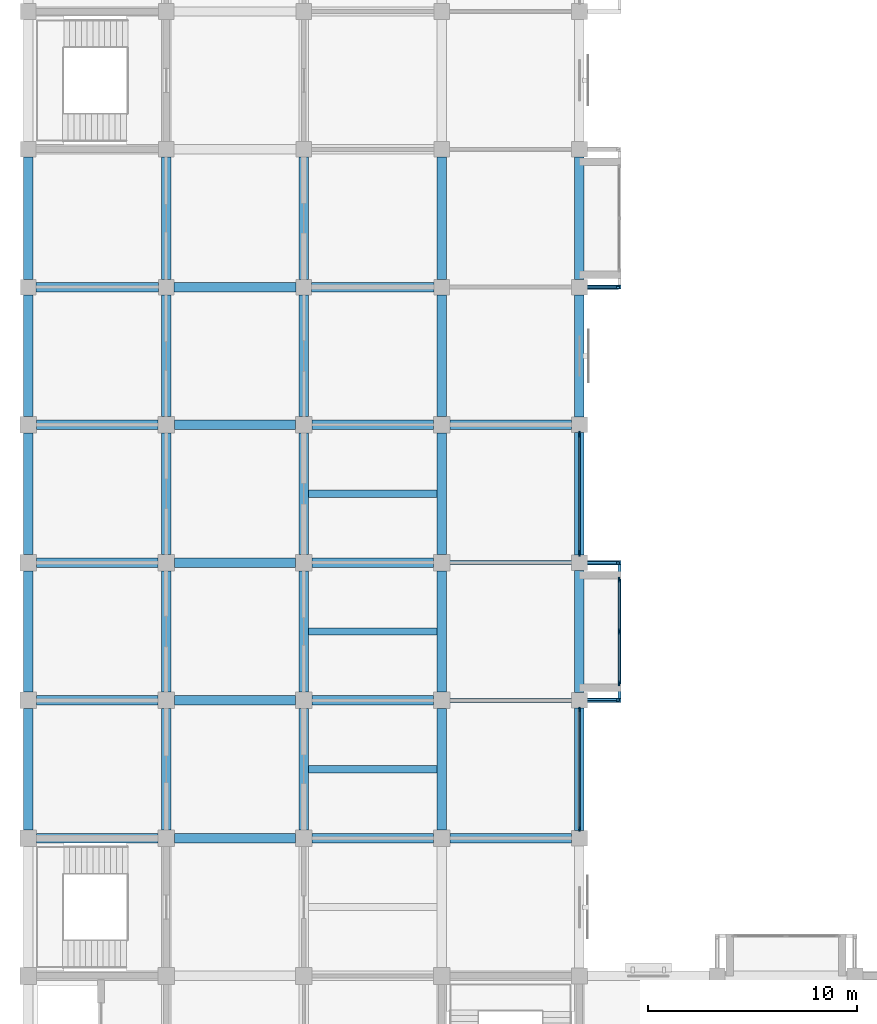
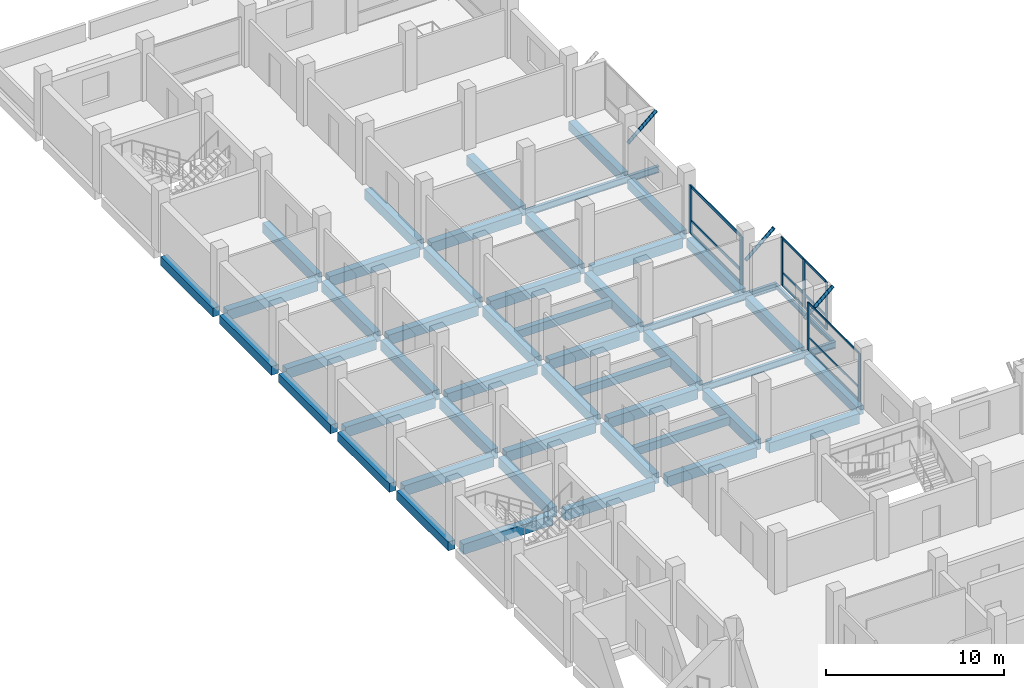
# One storey, part 3 of 15: 49 beams, 22 members, 3 elements without a shape of their own.
"""IFC4 building model written with IfcOpenShell, lengths in metres."""

from ifc_helpers import new_model, si_unit, direction, frame, origin, origin_2d, place, context, subcontext, project, spatial, rectangle, hollow_circle, i_section, extrude, material, material_profile, profile_set, type_object, element, aggregate, save


model = new_model("IFC4")

# Units and contexts
model_context = context("Model", 3, precision=1e-05, world=origin(), true_north=direction((0.0, 1.0)))
body_context = subcontext(model_context, "Body", "Model", "MODEL_VIEW")
ifc_project = project(units=[si_unit("LENGTHUNIT", "METRE"), si_unit("AREAUNIT", "SQUARE_METRE"), si_unit("VOLUMEUNIT", "CUBIC_METRE"), si_unit("PLANEANGLEUNIT", "RADIAN"), si_unit("MASSUNIT", "GRAM", prefix="KILO")], contexts=[model_context])

# Site, building, storey
site_placement = place(None, origin())
site = spatial("IfcSite", under=ifc_project, at=site_placement, CompositionType="ELEMENT")
building_placement = place(site_placement, origin())
building = spatial("IfcBuilding", under=site, at=building_placement, Name="Rusizi Kubbe Research Institute", CompositionType="ELEMENT")
storey_placement = place(building_placement, frame((0.0, 0.0, 27.0)))
storey = spatial("IfcBuildingStorey", under=building, at=storey_placement, Name="L06", CompositionType="ELEMENT", Elevation=27.0)

# Beams
ifc_material_1 = material(Name="Steel S355", Category="steel")
ifc_material_profile_1 = material_profile(ifc_material_1, i_section(OverallWidth=0.14990234375, OverallDepth=0.300048828125, WebThickness=0.007080078125, FlangeThickness=0.0107421875, at=origin_2d()), Name="IPE 300")
ifc_profile_set_1 = profile_set([ifc_material_profile_1], Name="Steel S355")
beam_type_1 = type_object("IfcBeamType", Name="BM-IPE300", PredefinedType="BEAM", material=ifc_profile_set_1)
beam_1_placement = place(storey_placement, frame((28.324951171875, 39.695068359375, -0.47998046875), z_axis=(0.0, 1.0, 0.0), x_axis=(-1.0, 0.0, 0.0)))
element("IfcBeam", 1, at=beam_1_placement, inside=storey, type_object=beam_type_1, Name="Cumba Edge Tie Beam L06-1", PredefinedType="BEAM", context=body_context, shape_type="SweptSolid", body=[
    extrude(i_section(OverallWidth=0.14990234375, OverallDepth=0.300048828125, WebThickness=0.007080078125, FlangeThickness=0.0107421875, at=origin_2d()), origin(), (0.0, 0.0, 1.0), 6.409912109375),
])
ifc_material_2 = material(Name="Steel S355", Category="steel")
ifc_material_profile_2 = material_profile(ifc_material_2, i_section(OverallWidth=0.18994140625, OverallDepth=0.449951171875, WebThickness=0.009521484375, FlangeThickness=0.0146484375, at=origin_2d()), Name="IPE 450")
ifc_profile_set_2 = profile_set([ifc_material_profile_2], Name="Steel S355")
beam_type_2 = type_object("IfcBeamType", Name="BM-IPE450", PredefinedType="BEAM", material=ifc_profile_set_2)
for number, where, z_axis, x_axis, name in (
    (2, (19.800048828125, 39.60009765625, -0.554931640625), (1.0, 0.0, 0.0), (0.0, 1.0, 0.0), "Cumba Back-Spanned Cantilever Beam L06-1S"),
    (3, (19.800048828125, 46.199951171875, -0.554931640625), (1.0, 0.0, 0.0), (0.0, 1.0, 0.0), "Cumba Back-Spanned Cantilever Beam L06-1N"),
    (4, (19.800048828125, 59.39990234375, -0.554931640625), (1.0, 0.0, 0.0), (0.0, 1.0, 0.0), "Cumba Back-Spanned Cantilever Beam L06-2S"),
):
    element("IfcBeam", number, at=place(storey_placement, frame(where, z_axis=z_axis, x_axis=x_axis)), inside=storey, type_object=beam_type_2, Name=name, PredefinedType="BEAM", context=body_context, shape_type="SweptSolid", body=[
        extrude(i_section(OverallWidth=0.18994140625, OverallDepth=0.449951171875, WebThickness=0.009521484375, FlangeThickness=0.0146484375, at=origin_2d()), origin(), (0.0, 0.0, 1.0), 8.599853515625),
    ])
ifc_material_3 = material(Name="Concrete C40/50", Category="concrete")
ifc_material_profile_3 = material_profile(ifc_material_3, rectangle(XDim=0.35009765625, YDim=0.550048828125, at=origin_2d()), Name="RC350x550")
ifc_profile_set_3 = profile_set([ifc_material_profile_3], Name="Concrete C40/50")
beam_type_3 = type_object("IfcBeamType", Name="BM-RC350x550", PredefinedType="JOIST", material=ifc_profile_set_3)
for number, where, z_axis, x_axis, name in (
    (5, (13.425048828125, 36.300048828125, -0.60498046875), (1.0, 0.0, 0.0), (0.0, 1.0, 0.0), "Lab Stiffener Joist L06 (2,5)"),
    (6, (13.425048828125, 42.89990234375, -0.60498046875), (1.0, 0.0, 0.0), (0.0, 1.0, 0.0), "Lab Stiffener Joist L06 (2,6)"),
    (7, (13.425048828125, 49.5, -0.60498046875), (1.0, 0.0, 0.0), (0.0, 1.0, 0.0), "Lab Stiffener Joist L06 (2,7)"),
):
    element("IfcBeam", number, at=place(storey_placement, frame(where, z_axis=z_axis, x_axis=x_axis)), inside=storey, type_object=beam_type_3, Name=name, PredefinedType="JOIST", context=body_context, shape_type="SweptSolid", body=[
        extrude(rectangle(XDim=0.35009765625, YDim=0.550048828125, at=origin_2d()), origin(), (0.0, 0.0, 1.0), 6.14990234375),
    ])
ifc_material_4 = material(Name="Concrete C40/50", Category="concrete")
ifc_material_profile_4 = material_profile(ifc_material_4, rectangle(XDim=0.449951171875, YDim=0.60009765625, at=origin_2d()), Name="RC450x600")
ifc_profile_set_4 = profile_set([ifc_material_profile_4], Name="Concrete C40/50")
beam_type_4 = type_object("IfcBeamType", Name="BM-RC450x600", PredefinedType="SPANDREL", material=ifc_profile_set_4)
for number, where, z_axis, x_axis, name in (
    (8, (0.0, 33.39990234375, -0.6298828125), (0.0, 1.0, 0.0), (-1.0, 0.0, 0.0), "Grid Beam V L06 (0,5)"),
    (9, (0.0, 40.0, -0.6298828125), (0.0, 1.0, 0.0), (-1.0, 0.0, 0.0), "Grid Beam V L06 (0,6)"),
):
    element("IfcBeam", number, at=place(storey_placement, frame(where, z_axis=z_axis, x_axis=x_axis)), inside=storey, type_object=beam_type_4, Name=name, PredefinedType="SPANDREL", context=body_context, shape_type="SweptSolid", body=[
        extrude(rectangle(XDim=0.449951171875, YDim=0.60009765625, at=origin_2d()), origin(), (0.0, 0.0, 1.0), 5.800048828125),
    ])
beam_2_placement = place(storey_placement, frame((0.0, 46.60009765625, -0.6298828125), z_axis=(0.0, 1.0, 0.0), x_axis=(-1.0, 0.0, 0.0)))
element("IfcBeam", 10, at=beam_2_placement, inside=storey, type_object=beam_type_4, Name="Grid Beam V L06 (0,7)", PredefinedType="SPANDREL", context=body_context, shape_type="SweptSolid", body=[
    extrude(rectangle(XDim=0.449951171875, YDim=0.60009765625, at=origin_2d()), origin(), (0.0, 0.0, 1.0), 5.7998046875),
])
beam_3_placement = place(storey_placement, frame((0.0, 53.199951171875, -0.6298828125), z_axis=(0.0, 1.0, 0.0), x_axis=(-1.0, 0.0, 0.0)))
element("IfcBeam", 11, at=beam_3_placement, inside=storey, type_object=beam_type_4, Name="Grid Beam V L06 (0,8)", PredefinedType="SPANDREL", context=body_context, shape_type="SweptSolid", body=[
    extrude(rectangle(XDim=0.449951171875, YDim=0.60009765625, at=origin_2d()), origin(), (0.0, 0.0, 1.0), 5.824951171875),
])
for number, where, z_axis, x_axis, name in (
    (12, (0.0, 59.77490234375, -0.6298828125), (0.0, 1.0, 0.0), (-1.0, 0.0, 0.0), "Grid Beam V L06 (0,9)"),
    (13, (26.39990234375, 33.375, -0.6298828125), (0.0, 1.0, 0.0), (-1.0, 0.0, 0.0), "Grid Beam V L06 (4,5)"),
):
    element("IfcBeam", number, at=place(storey_placement, frame(where, z_axis=z_axis, x_axis=x_axis)), inside=storey, type_object=beam_type_4, Name=name, PredefinedType="SPANDREL", context=body_context, shape_type="SweptSolid", body=[
        extrude(rectangle(XDim=0.449951171875, YDim=0.60009765625, at=origin_2d()), origin(), (0.0, 0.0, 1.0), 5.85009765625),
    ])
beam_4_placement = place(storey_placement, frame((26.39990234375, 39.97509765625, -0.6298828125), z_axis=(0.0, 1.0, 0.0), x_axis=(-1.0, 0.0, 0.0)))
element("IfcBeam", 14, at=beam_4_placement, inside=storey, type_object=beam_type_4, Name="Grid Beam V L06 (4,6)", PredefinedType="SPANDREL", context=body_context, shape_type="SweptSolid", body=[
    extrude(rectangle(XDim=0.449951171875, YDim=0.60009765625, at=origin_2d()), origin(), (0.0, 0.0, 1.0), 5.849853515625),
])
beam_5_placement = place(storey_placement, frame((26.39990234375, 46.574951171875, -0.6298828125), z_axis=(0.0, 1.0, 0.0), x_axis=(-1.0, 0.0, 0.0)))
element("IfcBeam", 15, at=beam_5_placement, inside=storey, type_object=beam_type_4, Name="Grid Beam V L06 (4,7)", PredefinedType="SPANDREL", context=body_context, shape_type="SweptSolid", body=[
    extrude(rectangle(XDim=0.449951171875, YDim=0.60009765625, at=origin_2d()), origin(), (0.0, 0.0, 1.0), 5.85009765625),
])
beam_6_placement = place(storey_placement, frame((26.39990234375, 53.175048828125, -0.6298828125), z_axis=(0.0, 1.0, 0.0), x_axis=(-1.0, 0.0, 0.0)))
element("IfcBeam", 16, at=beam_6_placement, inside=storey, type_object=beam_type_4, Name="Grid Beam V L06 (4,8)", PredefinedType="SPANDREL", context=body_context, shape_type="SweptSolid", body=[
    extrude(rectangle(XDim=0.449951171875, YDim=0.60009765625, at=origin_2d()), origin(), (0.0, 0.0, 1.0), 5.849853515625),
])
beam_7_placement = place(storey_placement, frame((26.39990234375, 59.77490234375, -0.6298828125), z_axis=(0.0, 1.0, 0.0), x_axis=(-1.0, 0.0, 0.0)))
element("IfcBeam", 17, at=beam_7_placement, inside=storey, type_object=beam_type_4, Name="Grid Beam V L06 (4,9)", PredefinedType="SPANDREL", context=body_context, shape_type="SweptSolid", body=[
    extrude(rectangle(XDim=0.449951171875, YDim=0.60009765625, at=origin_2d()), origin(), (0.0, 0.0, 1.0), 5.85009765625),
])
ifc_material_5 = material(Name="Concrete C40/50", Category="concrete")
ifc_material_profile_5 = material_profile(ifc_material_5, rectangle(XDim=0.449951171875, YDim=0.699951171875, at=origin_2d()), Name="RC450x700B")
ifc_profile_set_5 = profile_set([ifc_material_profile_5], Name="Concrete C40/50")
beam_type_5 = type_object("IfcBeamType", Name="BM-RC450x700", PredefinedType="BEAM", material=ifc_profile_set_5)
for number, where, z_axis, x_axis, name in (
    (18, (0.39990234375, 33.0, -0.679931640625), (1.0, 0.0, 0.0), (0.0, 1.0, 0.0), "Grid Beam H L06 (0,5)"),
    (19, (0.39990234375, 39.60009765625, -0.679931640625), (1.0, 0.0, 0.0), (0.0, 1.0, 0.0), "Grid Beam H L06 (0,6)"),
    (20, (0.39990234375, 46.199951171875, -0.679931640625), (1.0, 0.0, 0.0), (0.0, 1.0, 0.0), "Grid Beam H L06 (0,7)"),
    (21, (0.39990234375, 52.800048828125, -0.679931640625), (1.0, 0.0, 0.0), (0.0, 1.0, 0.0), "Grid Beam H L06 (0,8)"),
):
    element("IfcBeam", number, at=place(storey_placement, frame(where, z_axis=z_axis, x_axis=x_axis)), inside=storey, type_object=beam_type_5, Name=name, PredefinedType="BEAM", context=body_context, shape_type="SweptSolid", body=[
        extrude(rectangle(XDim=0.449951171875, YDim=0.699951171875, at=origin_2d()), origin(), (0.0, 0.0, 1.0), 5.800048828125),
    ])
beam_8_placement = place(storey_placement, frame((0.375, 59.39990234375, -0.679931640625), z_axis=(1.0, 0.0, 0.0), x_axis=(0.0, 1.0, 0.0)))
element("IfcBeam", 22, at=beam_8_placement, inside=storey, type_object=beam_type_5, Name="Grid Beam H L06 (0,9)", PredefinedType="BEAM", context=body_context, shape_type="SweptSolid", body=[
    extrude(rectangle(XDim=0.449951171875, YDim=0.699951171875, at=origin_2d()), origin(), (0.0, 0.0, 1.0), 5.85009765625),
])
for number, where, z_axis, x_axis, name in (
    (23, (7.0, 33.0, -0.679931640625), (1.0, 0.0, 0.0), (0.0, 1.0, 0.0), "Grid Beam H L06 (1,5)"),
    (24, (7.0, 39.60009765625, -0.679931640625), (1.0, 0.0, 0.0), (0.0, 1.0, 0.0), "Grid Beam H L06 (1,6)"),
    (25, (7.0, 46.199951171875, -0.679931640625), (1.0, 0.0, 0.0), (0.0, 1.0, 0.0), "Grid Beam H L06 (1,7)"),
    (26, (7.0, 52.800048828125, -0.679931640625), (1.0, 0.0, 0.0), (0.0, 1.0, 0.0), "Grid Beam H L06 (1,8)"),
):
    element("IfcBeam", number, at=place(storey_placement, frame(where, z_axis=z_axis, x_axis=x_axis)), inside=storey, type_object=beam_type_5, Name=name, PredefinedType="BEAM", context=body_context, shape_type="SweptSolid", body=[
        extrude(rectangle(XDim=0.449951171875, YDim=0.699951171875, at=origin_2d()), origin(), (0.0, 0.0, 1.0), 5.800048828125),
    ])
beam_9_placement = place(storey_placement, frame((6.97509765625, 59.39990234375, -0.679931640625), z_axis=(1.0, 0.0, 0.0), x_axis=(0.0, 1.0, 0.0)))
element("IfcBeam", 27, at=beam_9_placement, inside=storey, type_object=beam_type_5, Name="Grid Beam H L06 (1,9)", PredefinedType="BEAM", context=body_context, shape_type="SweptSolid", body=[
    extrude(rectangle(XDim=0.449951171875, YDim=0.699951171875, at=origin_2d()), origin(), (0.0, 0.0, 1.0), 5.849853515625),
])
for number, where, z_axis, x_axis, name in (
    (28, (13.60009765625, 33.0, -0.679931640625), (1.0, 0.0, 0.0), (0.0, 1.0, 0.0), "Grid Beam H L06 (2,5)"),
    (29, (13.60009765625, 39.60009765625, -0.679931640625), (1.0, 0.0, 0.0), (0.0, 1.0, 0.0), "Grid Beam H L06 (2,6)"),
    (30, (13.60009765625, 46.199951171875, -0.679931640625), (1.0, 0.0, 0.0), (0.0, 1.0, 0.0), "Grid Beam H L06 (2,7)"),
    (31, (13.60009765625, 52.800048828125, -0.679931640625), (1.0, 0.0, 0.0), (0.0, 1.0, 0.0), "Grid Beam H L06 (2,8)"),
):
    element("IfcBeam", number, at=place(storey_placement, frame(where, z_axis=z_axis, x_axis=x_axis)), inside=storey, type_object=beam_type_5, Name=name, PredefinedType="BEAM", context=body_context, shape_type="SweptSolid", body=[
        extrude(rectangle(XDim=0.449951171875, YDim=0.699951171875, at=origin_2d()), origin(), (0.0, 0.0, 1.0), 5.7998046875),
    ])
beam_10_placement = place(storey_placement, frame((13.574951171875, 59.39990234375, -0.679931640625), z_axis=(1.0, 0.0, 0.0), x_axis=(0.0, 1.0, 0.0)))
element("IfcBeam", 32, at=beam_10_placement, inside=storey, type_object=beam_type_5, Name="Grid Beam H L06 (2,9)", PredefinedType="BEAM", context=body_context, shape_type="SweptSolid", body=[
    extrude(rectangle(XDim=0.449951171875, YDim=0.699951171875, at=origin_2d()), origin(), (0.0, 0.0, 1.0), 5.85009765625),
])
for number, where, z_axis, x_axis, name in (
    (33, (20.199951171875, 33.0, -0.679931640625), (1.0, 0.0, 0.0), (0.0, 1.0, 0.0), "Grid Beam H L06 (3,5)"),
    (34, (20.199951171875, 52.800048828125, -0.679931640625), (1.0, 0.0, 0.0), (0.0, 1.0, 0.0), "Grid Beam H L06 (3,8)"),
):
    element("IfcBeam", number, at=place(storey_placement, frame(where, z_axis=z_axis, x_axis=x_axis)), inside=storey, type_object=beam_type_5, Name=name, PredefinedType="BEAM", context=body_context, shape_type="SweptSolid", body=[
        extrude(rectangle(XDim=0.449951171875, YDim=0.699951171875, at=origin_2d()), origin(), (0.0, 0.0, 1.0), 5.824951171875),
    ])
for number, where, z_axis, x_axis, name in (
    (35, (6.60009765625, 33.39990234375, -0.679931640625), (0.0, 1.0, 0.0), (-1.0, 0.0, 0.0), "Grid Beam V L06 (1,5)"),
    (36, (6.60009765625, 40.0, -0.679931640625), (0.0, 1.0, 0.0), (-1.0, 0.0, 0.0), "Grid Beam V L06 (1,6)"),
):
    element("IfcBeam", number, at=place(storey_placement, frame(where, z_axis=z_axis, x_axis=x_axis)), inside=storey, type_object=beam_type_5, Name=name, PredefinedType="BEAM", context=body_context, shape_type="SweptSolid", body=[
        extrude(rectangle(XDim=0.449951171875, YDim=0.699951171875, at=origin_2d()), origin(), (0.0, 0.0, 1.0), 5.800048828125),
    ])
beam_11_placement = place(storey_placement, frame((6.60009765625, 46.60009765625, -0.679931640625), z_axis=(0.0, 1.0, 0.0), x_axis=(-1.0, 0.0, 0.0)))
element("IfcBeam", 37, at=beam_11_placement, inside=storey, type_object=beam_type_5, Name="Grid Beam V L06 (1,7)", PredefinedType="BEAM", context=body_context, shape_type="SweptSolid", body=[
    extrude(rectangle(XDim=0.449951171875, YDim=0.699951171875, at=origin_2d()), origin(), (0.0, 0.0, 1.0), 5.7998046875),
])
beam_12_placement = place(storey_placement, frame((6.60009765625, 53.199951171875, -0.679931640625), z_axis=(0.0, 1.0, 0.0), x_axis=(-1.0, 0.0, 0.0)))
element("IfcBeam", 38, at=beam_12_placement, inside=storey, type_object=beam_type_5, Name="Grid Beam V L06 (1,8)", PredefinedType="BEAM", context=body_context, shape_type="SweptSolid", body=[
    extrude(rectangle(XDim=0.449951171875, YDim=0.699951171875, at=origin_2d()), origin(), (0.0, 0.0, 1.0), 5.824951171875),
])
beam_13_placement = place(storey_placement, frame((6.60009765625, 59.77490234375, -0.679931640625), z_axis=(0.0, 1.0, 0.0), x_axis=(-1.0, 0.0, 0.0)))
element("IfcBeam", 39, at=beam_13_placement, inside=storey, type_object=beam_type_5, Name="Grid Beam V L06 (1,9)", PredefinedType="BEAM", context=body_context, shape_type="SweptSolid", body=[
    extrude(rectangle(XDim=0.449951171875, YDim=0.699951171875, at=origin_2d()), origin(), (0.0, 0.0, 1.0), 5.85009765625),
])
for number, where, z_axis, x_axis, name in (
    (40, (13.199951171875, 33.39990234375, -0.679931640625), (0.0, 1.0, 0.0), (-1.0, 0.0, 0.0), "Grid Beam V L06 (2,5)"),
    (41, (13.199951171875, 40.0, -0.679931640625), (0.0, 1.0, 0.0), (-1.0, 0.0, 0.0), "Grid Beam V L06 (2,6)"),
):
    element("IfcBeam", number, at=place(storey_placement, frame(where, z_axis=z_axis, x_axis=x_axis)), inside=storey, type_object=beam_type_5, Name=name, PredefinedType="BEAM", context=body_context, shape_type="SweptSolid", body=[
        extrude(rectangle(XDim=0.449951171875, YDim=0.699951171875, at=origin_2d()), origin(), (0.0, 0.0, 1.0), 5.800048828125),
    ])
beam_14_placement = place(storey_placement, frame((13.199951171875, 46.60009765625, -0.679931640625), z_axis=(0.0, 1.0, 0.0), x_axis=(-1.0, 0.0, 0.0)))
element("IfcBeam", 42, at=beam_14_placement, inside=storey, type_object=beam_type_5, Name="Grid Beam V L06 (2,7)", PredefinedType="BEAM", context=body_context, shape_type="SweptSolid", body=[
    extrude(rectangle(XDim=0.449951171875, YDim=0.699951171875, at=origin_2d()), origin(), (0.0, 0.0, 1.0), 5.7998046875),
])
beam_15_placement = place(storey_placement, frame((13.199951171875, 53.199951171875, -0.679931640625), z_axis=(0.0, 1.0, 0.0), x_axis=(-1.0, 0.0, 0.0)))
element("IfcBeam", 43, at=beam_15_placement, inside=storey, type_object=beam_type_5, Name="Grid Beam V L06 (2,8)", PredefinedType="BEAM", context=body_context, shape_type="SweptSolid", body=[
    extrude(rectangle(XDim=0.449951171875, YDim=0.699951171875, at=origin_2d()), origin(), (0.0, 0.0, 1.0), 5.824951171875),
])
beam_16_placement = place(storey_placement, frame((13.199951171875, 59.77490234375, -0.679931640625), z_axis=(0.0, 1.0, 0.0), x_axis=(-1.0, 0.0, 0.0)))
element("IfcBeam", 44, at=beam_16_placement, inside=storey, type_object=beam_type_5, Name="Grid Beam V L06 (2,9)", PredefinedType="BEAM", context=body_context, shape_type="SweptSolid", body=[
    extrude(rectangle(XDim=0.449951171875, YDim=0.699951171875, at=origin_2d()), origin(), (0.0, 0.0, 1.0), 5.85009765625),
])
for number, where, z_axis, x_axis, name in (
    (45, (19.800048828125, 33.39990234375, -0.679931640625), (0.0, 1.0, 0.0), (-1.0, 0.0, 0.0), "Grid Beam V L06 (3,5)"),
    (46, (19.800048828125, 40.0, -0.679931640625), (0.0, 1.0, 0.0), (-1.0, 0.0, 0.0), "Grid Beam V L06 (3,6)"),
):
    element("IfcBeam", number, at=place(storey_placement, frame(where, z_axis=z_axis, x_axis=x_axis)), inside=storey, type_object=beam_type_5, Name=name, PredefinedType="BEAM", context=body_context, shape_type="SweptSolid", body=[
        extrude(rectangle(XDim=0.449951171875, YDim=0.699951171875, at=origin_2d()), origin(), (0.0, 0.0, 1.0), 5.800048828125),
    ])
beam_17_placement = place(storey_placement, frame((19.800048828125, 46.60009765625, -0.679931640625), z_axis=(0.0, 1.0, 0.0), x_axis=(-1.0, 0.0, 0.0)))
element("IfcBeam", 47, at=beam_17_placement, inside=storey, type_object=beam_type_5, Name="Grid Beam V L06 (3,7)", PredefinedType="BEAM", context=body_context, shape_type="SweptSolid", body=[
    extrude(rectangle(XDim=0.449951171875, YDim=0.699951171875, at=origin_2d()), origin(), (0.0, 0.0, 1.0), 5.7998046875),
])
beam_18_placement = place(storey_placement, frame((19.800048828125, 53.199951171875, -0.679931640625), z_axis=(0.0, 1.0, 0.0), x_axis=(-1.0, 0.0, 0.0)))
element("IfcBeam", 48, at=beam_18_placement, inside=storey, type_object=beam_type_5, Name="Grid Beam V L06 (3,8)", PredefinedType="BEAM", context=body_context, shape_type="SweptSolid", body=[
    extrude(rectangle(XDim=0.449951171875, YDim=0.699951171875, at=origin_2d()), origin(), (0.0, 0.0, 1.0), 5.824951171875),
])
beam_19_placement = place(storey_placement, frame((19.800048828125, 59.77490234375, -0.679931640625), z_axis=(0.0, 1.0, 0.0), x_axis=(-1.0, 0.0, 0.0)))
element("IfcBeam", 49, at=beam_19_placement, inside=storey, type_object=beam_type_5, Name="Grid Beam V L06 (3,9)", PredefinedType="BEAM", context=body_context, shape_type="SweptSolid", body=[
    extrude(rectangle(XDim=0.449951171875, YDim=0.699951171875, at=origin_2d()), origin(), (0.0, 0.0, 1.0), 5.85009765625),
])

# Members
ifc_material_6 = material(Name="Steel S355", Category="steel")
ifc_material_profile_6 = material_profile(ifc_material_6, hollow_circle(Radius=0.109619140625, WallThickness=0.008056640625, at=origin_2d()), Name="CHS 219.1x8.0")
ifc_profile_set_6 = profile_set([ifc_material_profile_6], Name="Steel S355")
member_type_1 = type_object("IfcMemberType", Name="MB-CHS219", PredefinedType="BRACE", material=ifc_profile_set_6)
for number, where, z_axis, x_axis, name in (
    (50, (26.39990234375, 39.60009765625, 1.8701171875), (0.756409887843, 0.0, 0.654097914362), (0.0, 1.0, 0.0), "Cumba Diagonal Corbel Brace L07-1S"),
    (51, (26.39990234375, 46.199951171875, 1.8701171875), (0.756409887843, 0.0, 0.654097914362), (0.0, 1.0, 0.0), "Cumba Diagonal Corbel Brace L07-1N"),
    (52, (26.39990234375, 59.39990234375, 1.8701171875), (0.756409887843, 0.0, 0.654097914362), (0.0, 1.0, 0.0), "Cumba Diagonal Corbel Brace L07-2S"),
):
    element("IfcMember", number, at=place(storey_placement, frame(where, z_axis=z_axis, x_axis=x_axis)), inside=storey, type_object=member_type_1, Name=name, PredefinedType="BRACE", context=body_context, shape_type="SweptSolid", body=[
        extrude(hollow_circle(Radius=0.109619140625, WallThickness=0.008056640625, at=origin_2d()), origin(), (0.0, 0.0, 1.0), 2.44580078125),
    ])

# Curtain wall, members
ifc_material_7 = material(Name="Thermally Broken Aluminium and Low-E Glazing", Category="aluminium")
curtain_wall_type_1 = type_object("IfcCurtainWallType", Name="CW-08", PredefinedType="NOTDEFINED", material=ifc_material_7)
curtain_wall_1_placement = place(storey_placement, origin())
curtain_wall_1 = element("IfcCurtainWall", 53, at=curtain_wall_1_placement, inside=storey, type_object=curtain_wall_type_1, Name="Unitised Facade Curtain Wall CW-L06-V-04-05", PredefinedType="NOTDEFINED")
ifc_material_8 = material(Name="Aluminium Alloy 6063-T6", Category="aluminium")
ifc_material_profile_7 = material_profile(ifc_material_8, rectangle(XDim=0.070068359375, YDim=0.219970703125, at=origin_2d()), Name="ALU-M 70x220")
ifc_profile_set_7 = profile_set([ifc_material_profile_7], Name="Aluminium Alloy 6063-T6")
member_type_2 = type_object("IfcMemberType", Name="ML-04", PredefinedType="MULLION", material=ifc_profile_set_7)
member_1_placement = place(storey_placement, frame((26.39990234375, 33.43994140625, 0.0), z_axis=(0.0, 0.0, 1.0), x_axis=(-1.0, 0.0, 0.0)))
member_1 = element("IfcMember", 54, at=member_1_placement, type_object=member_type_2, Name="CW-08 mullion 1", PredefinedType="MULLION", context=body_context, shape_type="SweptSolid", body=[
    extrude(rectangle(XDim=0.070068359375, YDim=0.219970703125, at=origin_2d()), origin(), (0.0, 0.0, 1.0), 3.27001953125),
])
member_2_placement = place(storey_placement, frame((26.39990234375, 39.159912109375, 0.0), z_axis=(0.0, 0.0, 1.0), x_axis=(-1.0, 0.0, 0.0)))
member_2 = element("IfcMember", 55, at=member_2_placement, type_object=member_type_2, Name="CW-08 mullion 2", PredefinedType="MULLION", context=body_context, shape_type="SweptSolid", body=[
    extrude(rectangle(XDim=0.070068359375, YDim=0.219970703125, at=origin_2d()), origin(), (0.0, 0.0, 1.0), 3.27001953125),
])

ifc_material_9 = material(Name="Thermally Broken Aluminium and Low-E Glazing", Category="aluminium")
curtain_wall_type_2 = type_object("IfcCurtainWallType", Name="CW-02", PredefinedType="NOTDEFINED", material=ifc_material_9)
curtain_wall_2_placement = place(storey_placement, origin())
curtain_wall_2 = element("IfcCurtainWall", 56, at=curtain_wall_2_placement, inside=storey, type_object=curtain_wall_type_2, Name="Cumba Glazed Curtain Wall CW-CUMBA-L06-070", PredefinedType="NOTDEFINED")
ifc_material_10 = material(Name="Aluminium Alloy 6063-T6", Category="aluminium")
ifc_material_profile_8 = material_profile(ifc_material_10, rectangle(XDim=0.074951171875, YDim=0.25, at=origin_2d()), Name="ALU-M 75x250")
ifc_profile_set_8 = profile_set([ifc_material_profile_8], Name="Aluminium Alloy 6063-T6")
member_type_3 = type_object("IfcMemberType", Name="ML-05", PredefinedType="MULLION", material=ifc_profile_set_8)
member_3_placement = place(storey_placement, frame((28.300048828125, 40.419921875, 0.0), z_axis=(0.0, 0.0, 1.0), x_axis=(-1.0, 0.0, 0.0)))
member_3 = element("IfcMember", 57, at=member_3_placement, type_object=member_type_3, Name="CW-02 mullion 1", PredefinedType="MULLION", context=body_context, shape_type="SweptSolid", body=[
    extrude(rectangle(XDim=0.074951171875, YDim=0.25, at=origin_2d()), origin(), (0.0, 0.0, 1.0), 3.27001953125),
])
member_4_placement = place(storey_placement, frame((28.300048828125, 42.89990234375, 0.0), z_axis=(0.0, 0.0, 1.0), x_axis=(-1.0, 0.0, 0.0)))
member_4 = element("IfcMember", 58, at=member_4_placement, type_object=member_type_3, Name="CW-02 mullion 2", PredefinedType="MULLION", context=body_context, shape_type="SweptSolid", body=[
    extrude(rectangle(XDim=0.074951171875, YDim=0.25, at=origin_2d()), origin(), (0.0, 0.0, 1.0), 3.27001953125),
])
member_5_placement = place(storey_placement, frame((28.300048828125, 45.3798828125, 0.0), z_axis=(0.0, 0.0, 1.0), x_axis=(-1.0, 0.0, 0.0)))
member_5 = element("IfcMember", 59, at=member_5_placement, type_object=member_type_3, Name="CW-02 mullion 3", PredefinedType="MULLION", context=body_context, shape_type="SweptSolid", body=[
    extrude(rectangle(XDim=0.074951171875, YDim=0.25, at=origin_2d()), origin(), (0.0, 0.0, 1.0), 3.27001953125),
])

ifc_material_11 = material(Name="Thermally Broken Aluminium and Low-E Glazing", Category="aluminium")
curtain_wall_type_3 = type_object("IfcCurtainWallType", Name="CW-09", PredefinedType="NOTDEFINED", material=ifc_material_11)
curtain_wall_3_placement = place(storey_placement, origin())
curtain_wall_3 = element("IfcCurtainWall", 60, at=curtain_wall_3_placement, inside=storey, type_object=curtain_wall_type_3, Name="Unitised Facade Curtain Wall CW-L06-V-04-07", PredefinedType="NOTDEFINED")
ifc_material_12 = material(Name="Aluminium Alloy 6063-T6", Category="aluminium")
ifc_material_profile_9 = material_profile(ifc_material_12, rectangle(XDim=0.080078125, YDim=0.280029296875, at=origin_2d()), Name="ALU-M 80x280")
ifc_profile_set_9 = profile_set([ifc_material_profile_9], Name="Aluminium Alloy 6063-T6")
member_type_4 = type_object("IfcMemberType", Name="ML-06", PredefinedType="MULLION", material=ifc_profile_set_9)
member_6_placement = place(storey_placement, frame((26.39990234375, 46.64501953125, 0.0), z_axis=(0.0, 0.0, 1.0), x_axis=(-1.0, 0.0, 0.0)))
member_6 = element("IfcMember", 61, at=member_6_placement, type_object=member_type_4, Name="CW-09 mullion 1", PredefinedType="MULLION", context=body_context, shape_type="SweptSolid", body=[
    extrude(rectangle(XDim=0.080078125, YDim=0.280029296875, at=origin_2d()), origin(), (0.0, 0.0, 1.0), 3.27001953125),
])
member_7_placement = place(storey_placement, frame((26.39990234375, 52.35498046875, 0.0), z_axis=(0.0, 0.0, 1.0), x_axis=(-1.0, 0.0, 0.0)))
member_7 = element("IfcMember", 62, at=member_7_placement, type_object=member_type_4, Name="CW-09 mullion 2", PredefinedType="MULLION", context=body_context, shape_type="SweptSolid", body=[
    extrude(rectangle(XDim=0.080078125, YDim=0.280029296875, at=origin_2d()), origin(), (0.0, 0.0, 1.0), 3.27001953125),
])

# Member
ifc_material_13 = material(Name="Aluminium Alloy 6063-T6", Category="aluminium")
ifc_material_profile_10 = material_profile(ifc_material_13, rectangle(XDim=0.06005859375, YDim=0.139892578125, at=origin_2d()), Name="ALU-T 60x140")
ifc_profile_set_10 = profile_set([ifc_material_profile_10], Name="Aluminium Alloy 6063-T6")
member_type_5 = type_object("IfcMemberType", Name="TR-02", PredefinedType="USERDEFINED", material=ifc_profile_set_10)
member_8_placement = place(storey_placement, frame((26.39990234375, 33.47509765625, 0.030029296875), z_axis=(0.0, 1.0, 0.0), x_axis=(-1.0, 0.0, 0.0)))
member_8 = element("IfcMember", 63, at=member_8_placement, type_object=member_type_5, Name="CW-08 transom 1.1", ObjectType="TRANSOM", PredefinedType="USERDEFINED", context=body_context, shape_type="SweptSolid", body=[
    extrude(rectangle(XDim=0.06005859375, YDim=0.139892578125, at=origin_2d()), origin(), (0.0, 0.0, 1.0), 5.64990234375),
])

member_9_placement = place(storey_placement, frame((26.39990234375, 33.47509765625, 0.89990234375), z_axis=(0.0, 1.0, 0.0), x_axis=(-1.0, 0.0, 0.0)))
member_9 = element("IfcMember", 64, at=member_9_placement, type_object=member_type_5, Name="CW-08 transom 1.2", ObjectType="TRANSOM", PredefinedType="USERDEFINED", context=body_context, shape_type="SweptSolid", body=[
    extrude(rectangle(XDim=0.06005859375, YDim=0.139892578125, at=origin_2d()), origin(), (0.0, 0.0, 1.0), 5.64990234375),
])

member_10_placement = place(storey_placement, frame((26.39990234375, 33.47509765625, 3.239990234375), z_axis=(0.0, 1.0, 0.0), x_axis=(-1.0, 0.0, 0.0)))
member_10 = element("IfcMember", 65, at=member_10_placement, type_object=member_type_5, Name="CW-08 transom 1.3", ObjectType="TRANSOM", PredefinedType="USERDEFINED", context=body_context, shape_type="SweptSolid", body=[
    extrude(rectangle(XDim=0.06005859375, YDim=0.139892578125, at=origin_2d()), origin(), (0.0, 0.0, 1.0), 5.64990234375),
])

aggregate(curtain_wall_1, [member_1, member_2, member_8, member_9, member_10])

ifc_material_14 = material(Name="Aluminium Alloy 6063-T6", Category="aluminium")
ifc_material_profile_11 = material_profile(ifc_material_14, rectangle(XDim=0.06494140625, YDim=0.159912109375, at=origin_2d()), Name="ALU-T 65x160")
ifc_profile_set_11 = profile_set([ifc_material_profile_11], Name="Aluminium Alloy 6063-T6")
member_type_6 = type_object("IfcMemberType", Name="TR-03", PredefinedType="USERDEFINED", material=ifc_profile_set_11)
member_11_placement = place(storey_placement, frame((28.300048828125, 40.45751953125, 0.032470703125), z_axis=(0.0, 1.0, 0.0), x_axis=(-1.0, 0.0, 0.0)))
member_11 = element("IfcMember", 66, at=member_11_placement, type_object=member_type_6, Name="CW-02 transom 1.1", ObjectType="TRANSOM", PredefinedType="USERDEFINED", context=body_context, shape_type="SweptSolid", body=[
    extrude(rectangle(XDim=0.06494140625, YDim=0.159912109375, at=origin_2d()), origin(), (0.0, 0.0, 1.0), 2.405029296875),
])

member_12_placement = place(storey_placement, frame((28.300048828125, 40.45751953125, 0.89990234375), z_axis=(0.0, 1.0, 0.0), x_axis=(-1.0, 0.0, 0.0)))
member_12 = element("IfcMember", 67, at=member_12_placement, type_object=member_type_6, Name="CW-02 transom 1.2", ObjectType="TRANSOM", PredefinedType="USERDEFINED", context=body_context, shape_type="SweptSolid", body=[
    extrude(rectangle(XDim=0.06494140625, YDim=0.159912109375, at=origin_2d()), origin(), (0.0, 0.0, 1.0), 2.405029296875),
])

member_13_placement = place(storey_placement, frame((28.300048828125, 40.45751953125, 3.237548828125), z_axis=(0.0, 1.0, 0.0), x_axis=(-1.0, 0.0, 0.0)))
member_13 = element("IfcMember", 68, at=member_13_placement, type_object=member_type_6, Name="CW-02 transom 1.3", ObjectType="TRANSOM", PredefinedType="USERDEFINED", context=body_context, shape_type="SweptSolid", body=[
    extrude(rectangle(XDim=0.06494140625, YDim=0.159912109375, at=origin_2d()), origin(), (0.0, 0.0, 1.0), 2.405029296875),
])

member_14_placement = place(storey_placement, frame((28.300048828125, 42.9375, 0.032470703125), z_axis=(0.0, 1.0, 0.0), x_axis=(-1.0, 0.0, 0.0)))
member_14 = element("IfcMember", 69, at=member_14_placement, type_object=member_type_6, Name="CW-02 transom 2.1", ObjectType="TRANSOM", PredefinedType="USERDEFINED", context=body_context, shape_type="SweptSolid", body=[
    extrude(rectangle(XDim=0.06494140625, YDim=0.159912109375, at=origin_2d()), origin(), (0.0, 0.0, 1.0), 2.405029296875),
])

member_15_placement = place(storey_placement, frame((28.300048828125, 42.9375, 0.89990234375), z_axis=(0.0, 1.0, 0.0), x_axis=(-1.0, 0.0, 0.0)))
member_15 = element("IfcMember", 70, at=member_15_placement, type_object=member_type_6, Name="CW-02 transom 2.2", ObjectType="TRANSOM", PredefinedType="USERDEFINED", context=body_context, shape_type="SweptSolid", body=[
    extrude(rectangle(XDim=0.06494140625, YDim=0.159912109375, at=origin_2d()), origin(), (0.0, 0.0, 1.0), 2.405029296875),
])

member_16_placement = place(storey_placement, frame((28.300048828125, 42.9375, 3.237548828125), z_axis=(0.0, 1.0, 0.0), x_axis=(-1.0, 0.0, 0.0)))
member_16 = element("IfcMember", 71, at=member_16_placement, type_object=member_type_6, Name="CW-02 transom 2.3", ObjectType="TRANSOM", PredefinedType="USERDEFINED", context=body_context, shape_type="SweptSolid", body=[
    extrude(rectangle(XDim=0.06494140625, YDim=0.159912109375, at=origin_2d()), origin(), (0.0, 0.0, 1.0), 2.405029296875),
])

aggregate(curtain_wall_2, [member_3, member_4, member_5, member_11, member_12, member_13, member_14, member_15, member_16])

ifc_material_15 = material(Name="Aluminium Alloy 6063-T6", Category="aluminium")
ifc_material_profile_12 = material_profile(ifc_material_15, rectangle(XDim=0.070068359375, YDim=0.18994140625, at=origin_2d()), Name="ALU-T 70x190")
ifc_profile_set_12 = profile_set([ifc_material_profile_12], Name="Aluminium Alloy 6063-T6")
member_type_7 = type_object("IfcMemberType", Name="TR-04", PredefinedType="USERDEFINED", material=ifc_profile_set_12)
member_17_placement = place(storey_placement, frame((26.39990234375, 46.68505859375, 0.034912109375), z_axis=(0.0, 1.0, 0.0), x_axis=(-1.0, 0.0, 0.0)))
member_17 = element("IfcMember", 72, at=member_17_placement, type_object=member_type_7, Name="CW-09 transom 1.1", ObjectType="TRANSOM", PredefinedType="USERDEFINED", context=body_context, shape_type="SweptSolid", body=[
    extrude(rectangle(XDim=0.070068359375, YDim=0.18994140625, at=origin_2d()), origin(), (0.0, 0.0, 1.0), 5.6298828125),
])

member_18_placement = place(storey_placement, frame((26.39990234375, 46.68505859375, 0.89990234375), z_axis=(0.0, 1.0, 0.0), x_axis=(-1.0, 0.0, 0.0)))
member_18 = element("IfcMember", 73, at=member_18_placement, type_object=member_type_7, Name="CW-09 transom 1.2", ObjectType="TRANSOM", PredefinedType="USERDEFINED", context=body_context, shape_type="SweptSolid", body=[
    extrude(rectangle(XDim=0.070068359375, YDim=0.18994140625, at=origin_2d()), origin(), (0.0, 0.0, 1.0), 5.6298828125),
])

member_19_placement = place(storey_placement, frame((26.39990234375, 46.68505859375, 3.235107421875), z_axis=(0.0, 1.0, 0.0), x_axis=(-1.0, 0.0, 0.0)))
member_19 = element("IfcMember", 74, at=member_19_placement, type_object=member_type_7, Name="CW-09 transom 1.3", ObjectType="TRANSOM", PredefinedType="USERDEFINED", context=body_context, shape_type="SweptSolid", body=[
    extrude(rectangle(XDim=0.070068359375, YDim=0.18994140625, at=origin_2d()), origin(), (0.0, 0.0, 1.0), 5.6298828125),
])

aggregate(curtain_wall_3, [member_6, member_7, member_17, member_18, member_19])

save(model, "model.ifc")
